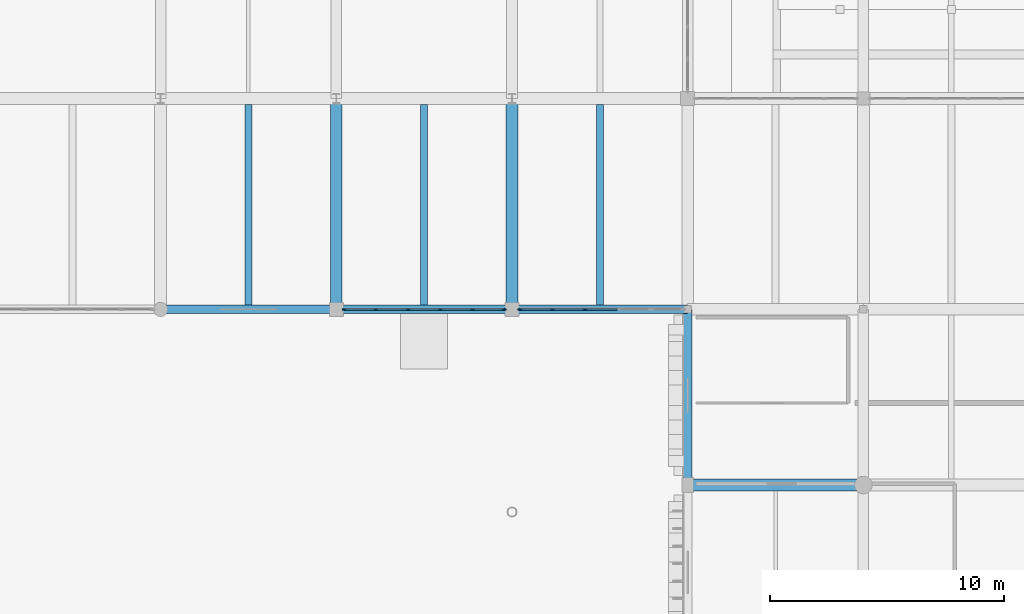
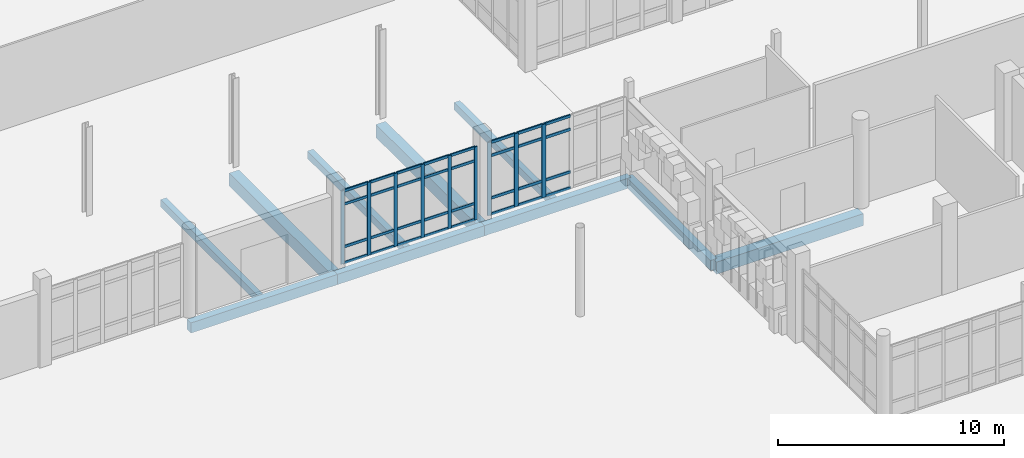
# One storey, part 32 of 125: 41 members, 10 beams, 2 elements without a shape of their own.
"""IFC4 building model written with IfcOpenShell, lengths in metres."""

from ifc_helpers import new_model, si_unit, direction, frame, origin, origin_2d, place, context, subcontext, project, spatial, rectangle, extrude, material, layer, layer_set, material_profile, profile_set, type_object, element, aggregate, save


model = new_model("IFC4")

# Units and contexts
model_context = context("Model", 3, precision=1e-05, world=origin(), true_north=direction((0.0, 1.0)))
body_context = subcontext(model_context, "Body", "Model", "MODEL_VIEW")
ifc_project = project(units=[si_unit("LENGTHUNIT", "METRE"), si_unit("AREAUNIT", "SQUARE_METRE"), si_unit("VOLUMEUNIT", "CUBIC_METRE"), si_unit("PLANEANGLEUNIT", "RADIAN"), si_unit("MASSUNIT", "GRAM", prefix="KILO")], contexts=[model_context])

# Site, building, storey
site_placement = place(None, origin())
site = spatial("IfcSite", under=ifc_project, at=site_placement, CompositionType="ELEMENT")
building_placement = place(site_placement, origin())
building = spatial("IfcBuilding", under=site, at=building_placement, Name="Dalvernix Boulevard General Hospital", CompositionType="ELEMENT")
storey_placement = place(building_placement, origin())
storey = spatial("IfcBuildingStorey", under=building, at=storey_placement, Name="L00", CompositionType="ELEMENT", Elevation=0.0)

# Beams
ifc_material_1 = material(Name="Concrete C35/45", Category="concrete")
ifc_material_profile_1 = material_profile(ifc_material_1, rectangle(XDim=0.5, YDim=0.699951171875, at=origin_2d()), Name="RCB 500x700")
ifc_profile_set_1 = profile_set([ifc_material_profile_1], Name="Concrete C35/45")
beam_type_1 = type_object("IfcBeamType", Name="BM-B-01-I", PredefinedType="BEAM", material=ifc_profile_set_1)
for number, where, z_axis, x_axis, name in (
    (1, (97.5, 22.5, -0.7099609375), (0.0, 1.0, 0.0), (-1.0, 0.0, 0.0), "L00 N-S girder 14:D-E"),
    (2, (105.0, 22.5, -0.7099609375), (0.0, 1.0, 0.0), (-1.0, 0.0, 0.0), "L00 N-S girder 15:D-E"),
):
    element("IfcBeam", number, at=place(storey_placement, frame(where, z_axis=z_axis, x_axis=x_axis)), inside=storey, type_object=beam_type_1, Name=name, PredefinedType="BEAM", context=body_context, shape_type="SweptSolid", body=[
        extrude(rectangle(XDim=0.5, YDim=0.699951171875, at=origin_2d()), origin(), (0.0, 0.0, 1.0), 9.0),
    ])
ifc_material_profile_2 = material_profile(ifc_material_1, rectangle(XDim=0.5, YDim=0.64990234375, at=origin_2d()), Name="RCB 500x650")
ifc_profile_set_2 = profile_set([ifc_material_profile_2], Name="Concrete C35/45")
beam_type_2 = type_object("IfcBeamType", Name="BM-B-02-I", PredefinedType="BEAM", material=ifc_profile_set_2)
beam_placement = place(storey_placement, frame((112.5, 15.0, -0.68505859375), z_axis=(1.0, 0.0, 0.0), x_axis=(0.0, 1.0, 0.0)))
element("IfcBeam", 3, at=beam_placement, inside=storey, type_object=beam_type_2, Name="L00 E-W girder C:16-17", PredefinedType="BEAM", context=body_context, shape_type="SweptSolid", body=[
    extrude(rectangle(XDim=0.5, YDim=0.64990234375, at=origin_2d()), origin(), (0.0, 0.0, 1.0), 7.5),
])
ifc_material_profile_3 = material_profile(ifc_material_1, rectangle(XDim=0.300048828125, YDim=0.39990234375, at=origin_2d()), Name="RCB 300x400")
ifc_profile_set_3 = profile_set([ifc_material_profile_3], Name="Concrete C35/45")
beam_type_3 = type_object("IfcBeamType", Name="BM-JB-01", PredefinedType="JOIST", material=ifc_profile_set_3)
for number, where, z_axis, x_axis, name in (
    (4, (93.75, 22.675048828125, -0.56005859375), (0.0, 1.0, 0.0), (-1.0, 0.0, 0.0), "L00 secondary floor beam 13-D"),
    (5, (101.25, 22.675048828125, -0.56005859375), (0.0, 1.0, 0.0), (-1.0, 0.0, 0.0), "L00 secondary floor beam 14-D"),
    (6, (108.75, 22.675048828125, -0.56005859375), (0.0, 1.0, 0.0), (-1.0, 0.0, 0.0), "L00 secondary floor beam 15-D"),
):
    element("IfcBeam", number, at=place(storey_placement, frame(where, z_axis=z_axis, x_axis=x_axis)), inside=storey, type_object=beam_type_3, Name=name, PredefinedType="JOIST", context=body_context, shape_type="SweptSolid", body=[
        extrude(rectangle(XDim=0.300048828125, YDim=0.39990234375, at=origin_2d()), origin(), (0.0, 0.0, 1.0), 8.574951171875),
    ])
ifc_material_profile_4 = material_profile(ifc_material_1, rectangle(XDim=0.35009765625, YDim=0.550048828125, at=origin_2d()), Name="RCB 350x550")
ifc_profile_set_4 = profile_set([ifc_material_profile_4], Name="Concrete C35/45")
beam_type_4 = type_object("IfcBeamType", Name="BM-SB-01-E", PredefinedType="SPANDREL", material=ifc_profile_set_4)
for number, where, z_axis, x_axis, name in (
    (7, (90.0, 22.5, -0.635009765625), (1.0, 0.0, 0.0), (0.0, 1.0, 0.0), "L00 E-W girder D:13-14"),
    (8, (97.5, 22.5, -0.635009765625), (1.0, 0.0, 0.0), (0.0, 1.0, 0.0), "L00 E-W girder D:14-15"),
    (9, (105.0, 22.5, -0.635009765625), (1.0, 0.0, 0.0), (0.0, 1.0, 0.0), "L00 E-W girder D:15-16"),
    (10, (112.5, 15.0, -0.635009765625), (0.0, 1.0, 0.0), (-1.0, 0.0, 0.0), "L00 N-S girder 16:C-D"),
):
    element("IfcBeam", number, at=place(storey_placement, frame(where, z_axis=z_axis, x_axis=x_axis)), inside=storey, type_object=beam_type_4, Name=name, PredefinedType="SPANDREL", context=body_context, shape_type="SweptSolid", body=[
        extrude(rectangle(XDim=0.35009765625, YDim=0.550048828125, at=origin_2d()), origin(), (0.0, 0.0, 1.0), 7.5),
    ])

# Curtain wall, members
ifc_material_2 = material(Name="Thermally broken aluminium and solar-control glass curtain wall", Category="aluminium")
ifc_layer_1 = layer(ifc_material_2, 0.179931640625)
ifc_layer_set_1 = layer_set([ifc_layer_1], Name="Thermally broken aluminium and solar-control glass curtain wall (CW-CW-B-69x40)")
curtain_wall_type_1 = type_object("IfcCurtainWallType", Name="CW-CW-B-69x40", PredefinedType="USERDEFINED", material=ifc_layer_set_1)
curtain_wall_1_placement = place(storey_placement, origin())
curtain_wall_1 = element("IfcCurtainWall", 11, at=curtain_wall_1_placement, inside=storey, type_object=curtain_wall_type_1, Name="L00 curtain wall CW-B-69x40 13-3", ObjectType="GLAZED FACADE", PredefinedType="USERDEFINED")
ifc_material_3 = material(Name="Aluminium EN AW-6060", Category="aluminium")
ifc_material_profile_5 = material_profile(ifc_material_3, rectangle(XDim=0.06494140625, YDim=0.179931640625, at=origin_2d()), Name="ALU MULL 65x180")
ifc_profile_set_5 = profile_set([ifc_material_profile_5], Name="Aluminium EN AW-6060")
member_type_1 = type_object("IfcMemberType", Name="MEM-CW-M2", PredefinedType="MULLION", material=ifc_profile_set_5)
member_1_placement = place(storey_placement, frame((104.657470703125, 22.5, 0.0), z_axis=(0.0, 0.0, 1.0), x_axis=(0.0, -1.0, 0.0)))
member_1 = element("IfcMember", 12, at=member_1_placement, type_object=member_type_1, Name="CW-B-69x40 mullion 1", PredefinedType="MULLION", context=body_context, shape_type="SweptSolid", body=[
    extrude(rectangle(XDim=0.06494140625, YDim=0.179931640625, at=origin_2d()), origin(), (0.0, 0.0, 1.0), 3.949951171875),
])
member_2_placement = place(storey_placement, frame((103.31396484375, 22.5, 0.0), z_axis=(0.0, 0.0, 1.0), x_axis=(0.0, -1.0, 0.0)))
member_2 = element("IfcMember", 13, at=member_2_placement, type_object=member_type_1, Name="CW-B-69x40 mullion 2", PredefinedType="MULLION", context=body_context, shape_type="SweptSolid", body=[
    extrude(rectangle(XDim=0.06494140625, YDim=0.179931640625, at=origin_2d()), origin(), (0.0, 0.0, 1.0), 3.949951171875),
])
member_3_placement = place(storey_placement, frame((101.93798828125, 22.5, 0.0), z_axis=(0.0, 0.0, 1.0), x_axis=(0.0, -1.0, 0.0)))
member_3 = element("IfcMember", 14, at=member_3_placement, type_object=member_type_1, Name="CW-B-69x40 mullion 3", PredefinedType="MULLION", context=body_context, shape_type="SweptSolid", body=[
    extrude(rectangle(XDim=0.06494140625, YDim=0.179931640625, at=origin_2d()), origin(), (0.0, 0.0, 1.0), 3.949951171875),
])
member_4_placement = place(storey_placement, frame((100.56201171875, 22.5, 0.0), z_axis=(0.0, 0.0, 1.0), x_axis=(0.0, -1.0, 0.0)))
member_4 = element("IfcMember", 15, at=member_4_placement, type_object=member_type_1, Name="CW-B-69x40 mullion 4", PredefinedType="MULLION", context=body_context, shape_type="SweptSolid", body=[
    extrude(rectangle(XDim=0.06494140625, YDim=0.179931640625, at=origin_2d()), origin(), (0.0, 0.0, 1.0), 3.949951171875),
])
member_5_placement = place(storey_placement, frame((99.18603515625, 22.5, 0.0), z_axis=(0.0, 0.0, 1.0), x_axis=(0.0, -1.0, 0.0)))
member_5 = element("IfcMember", 16, at=member_5_placement, type_object=member_type_1, Name="CW-B-69x40 mullion 5", PredefinedType="MULLION", context=body_context, shape_type="SweptSolid", body=[
    extrude(rectangle(XDim=0.06494140625, YDim=0.179931640625, at=origin_2d()), origin(), (0.0, 0.0, 1.0), 3.949951171875),
])
member_6_placement = place(storey_placement, frame((97.842529296875, 22.5, 0.0), z_axis=(0.0, 0.0, 1.0), x_axis=(0.0, -1.0, 0.0)))
member_6 = element("IfcMember", 17, at=member_6_placement, type_object=member_type_1, Name="CW-B-69x40 mullion 6", PredefinedType="MULLION", context=body_context, shape_type="SweptSolid", body=[
    extrude(rectangle(XDim=0.06494140625, YDim=0.179931640625, at=origin_2d()), origin(), (0.0, 0.0, 1.0), 3.949951171875),
])

ifc_layer_2 = layer(ifc_material_2, 0.199951171875)
ifc_layer_set_2 = layer_set([ifc_layer_2], Name="Thermally broken aluminium and solar-control glass curtain wall (CW-CW-C-70x40)")
curtain_wall_type_2 = type_object("IfcCurtainWallType", Name="CW-CW-C-70x40", PredefinedType="USERDEFINED", material=ifc_layer_set_2)
curtain_wall_2_placement = place(storey_placement, origin())
curtain_wall_2 = element("IfcCurtainWall", 18, at=curtain_wall_2_placement, inside=storey, type_object=curtain_wall_type_2, Name="L00 curtain wall CW-C-70x40 14-3", ObjectType="GLAZED FACADE", PredefinedType="USERDEFINED")
ifc_material_profile_6 = material_profile(ifc_material_3, rectangle(XDim=0.070068359375, YDim=0.199951171875, at=origin_2d()), Name="ALU MULL 70x200")
ifc_profile_set_6 = profile_set([ifc_material_profile_6], Name="Aluminium EN AW-6060")
member_type_2 = type_object("IfcMemberType", Name="MEM-CW-M3", PredefinedType="MULLION", material=ifc_profile_set_6)
member_7_placement = place(storey_placement, frame((108.117919921875, 22.5, 0.0), z_axis=(0.0, 0.0, 1.0), x_axis=(0.0, -1.0, 0.0)))
member_7 = element("IfcMember", 19, at=member_7_placement, type_object=member_type_2, Name="CW-C-70x40 mullion 4", PredefinedType="MULLION", context=body_context, shape_type="SweptSolid", body=[
    extrude(rectangle(XDim=0.070068359375, YDim=0.199951171875, at=origin_2d()), origin(), (0.0, 0.0, 1.0), 3.949951171875),
])
member_8_placement = place(storey_placement, frame((106.714111328125, 22.5, 0.0), z_axis=(0.0, 0.0, 1.0), x_axis=(0.0, -1.0, 0.0)))
member_8 = element("IfcMember", 20, at=member_8_placement, type_object=member_type_2, Name="CW-C-70x40 mullion 5", PredefinedType="MULLION", context=body_context, shape_type="SweptSolid", body=[
    extrude(rectangle(XDim=0.070068359375, YDim=0.199951171875, at=origin_2d()), origin(), (0.0, 0.0, 1.0), 3.949951171875),
])
member_9_placement = place(storey_placement, frame((105.344970703125, 22.5, 0.0), z_axis=(0.0, 0.0, 1.0), x_axis=(0.0, -1.0, 0.0)))
member_9 = element("IfcMember", 21, at=member_9_placement, type_object=member_type_2, Name="CW-C-70x40 mullion 6", PredefinedType="MULLION", context=body_context, shape_type="SweptSolid", body=[
    extrude(rectangle(XDim=0.070068359375, YDim=0.199951171875, at=origin_2d()), origin(), (0.0, 0.0, 1.0), 3.949951171875),
])

# Member
ifc_material_profile_7 = material_profile(ifc_material_3, rectangle(XDim=0.06494140625, YDim=0.139892578125, at=origin_2d()), Name="ALU TRAN 65x140")
ifc_profile_set_7 = profile_set([ifc_material_profile_7], Name="Aluminium EN AW-6060")
member_type_3 = type_object("IfcMemberType", Name="MEM-CW-T2", PredefinedType="USERDEFINED", material=ifc_profile_set_7)
member_10_placement = place(storey_placement, frame((104.625, 22.5, 0.032470703125), z_axis=(-1.0, 0.0, 0.0), x_axis=(0.0, -1.0, 0.0)))
member_10 = element("IfcMember", 22, at=member_10_placement, type_object=member_type_3, Name="CW-B-69x40 transom 1.1", ObjectType="TRANSOM", PredefinedType="USERDEFINED", context=body_context, shape_type="SweptSolid", body=[
    extrude(rectangle(XDim=0.06494140625, YDim=0.139892578125, at=origin_2d()), origin(), (0.0, 0.0, 1.0), 1.278564453125),
])

member_11_placement = place(storey_placement, frame((104.625, 22.5, 0.89990234375), z_axis=(-1.0, 0.0, 0.0), x_axis=(0.0, -1.0, 0.0)))
member_11 = element("IfcMember", 23, at=member_11_placement, type_object=member_type_3, Name="CW-B-69x40 transom 1.2", ObjectType="TRANSOM", PredefinedType="USERDEFINED", context=body_context, shape_type="SweptSolid", body=[
    extrude(rectangle(XDim=0.06494140625, YDim=0.139892578125, at=origin_2d()), origin(), (0.0, 0.0, 1.0), 1.278564453125),
])

member_12_placement = place(storey_placement, frame((104.625, 22.5, 3.199951171875), z_axis=(-1.0, 0.0, 0.0), x_axis=(0.0, -1.0, 0.0)))
member_12 = element("IfcMember", 24, at=member_12_placement, type_object=member_type_3, Name="CW-B-69x40 transom 1.3", ObjectType="TRANSOM", PredefinedType="USERDEFINED", context=body_context, shape_type="SweptSolid", body=[
    extrude(rectangle(XDim=0.06494140625, YDim=0.139892578125, at=origin_2d()), origin(), (0.0, 0.0, 1.0), 1.278564453125),
])

member_13_placement = place(storey_placement, frame((104.625, 22.5, 3.91748046875), z_axis=(-1.0, 0.0, 0.0), x_axis=(0.0, -1.0, 0.0)))
member_13 = element("IfcMember", 25, at=member_13_placement, type_object=member_type_3, Name="CW-B-69x40 transom 1.4", ObjectType="TRANSOM", PredefinedType="USERDEFINED", context=body_context, shape_type="SweptSolid", body=[
    extrude(rectangle(XDim=0.06494140625, YDim=0.139892578125, at=origin_2d()), origin(), (0.0, 0.0, 1.0), 1.278564453125),
])

member_14_placement = place(storey_placement, frame((103.281494140625, 22.5, 0.032470703125), z_axis=(-1.0, 0.0, 0.0), x_axis=(0.0, -1.0, 0.0)))
member_14 = element("IfcMember", 26, at=member_14_placement, type_object=member_type_3, Name="CW-B-69x40 transom 2.1", ObjectType="TRANSOM", PredefinedType="USERDEFINED", context=body_context, shape_type="SweptSolid", body=[
    extrude(rectangle(XDim=0.06494140625, YDim=0.139892578125, at=origin_2d()), origin(), (0.0, 0.0, 1.0), 1.31103515625),
])

member_15_placement = place(storey_placement, frame((103.281494140625, 22.5, 0.89990234375), z_axis=(-1.0, 0.0, 0.0), x_axis=(0.0, -1.0, 0.0)))
member_15 = element("IfcMember", 27, at=member_15_placement, type_object=member_type_3, Name="CW-B-69x40 transom 2.2", ObjectType="TRANSOM", PredefinedType="USERDEFINED", context=body_context, shape_type="SweptSolid", body=[
    extrude(rectangle(XDim=0.06494140625, YDim=0.139892578125, at=origin_2d()), origin(), (0.0, 0.0, 1.0), 1.31103515625),
])

member_16_placement = place(storey_placement, frame((103.281494140625, 22.5, 3.199951171875), z_axis=(-1.0, 0.0, 0.0), x_axis=(0.0, -1.0, 0.0)))
member_16 = element("IfcMember", 28, at=member_16_placement, type_object=member_type_3, Name="CW-B-69x40 transom 2.3", ObjectType="TRANSOM", PredefinedType="USERDEFINED", context=body_context, shape_type="SweptSolid", body=[
    extrude(rectangle(XDim=0.06494140625, YDim=0.139892578125, at=origin_2d()), origin(), (0.0, 0.0, 1.0), 1.31103515625),
])

member_17_placement = place(storey_placement, frame((103.281494140625, 22.5, 3.91748046875), z_axis=(-1.0, 0.0, 0.0), x_axis=(0.0, -1.0, 0.0)))
member_17 = element("IfcMember", 29, at=member_17_placement, type_object=member_type_3, Name="CW-B-69x40 transom 2.4", ObjectType="TRANSOM", PredefinedType="USERDEFINED", context=body_context, shape_type="SweptSolid", body=[
    extrude(rectangle(XDim=0.06494140625, YDim=0.139892578125, at=origin_2d()), origin(), (0.0, 0.0, 1.0), 1.31103515625),
])

member_18_placement = place(storey_placement, frame((101.905517578125, 22.5, 0.032470703125), z_axis=(-1.0, 0.0, 0.0), x_axis=(0.0, -1.0, 0.0)))
member_18 = element("IfcMember", 30, at=member_18_placement, type_object=member_type_3, Name="CW-B-69x40 transom 3.1", ObjectType="TRANSOM", PredefinedType="USERDEFINED", context=body_context, shape_type="SweptSolid", body=[
    extrude(rectangle(XDim=0.06494140625, YDim=0.139892578125, at=origin_2d()), origin(), (0.0, 0.0, 1.0), 1.31103515625),
])

member_19_placement = place(storey_placement, frame((101.905517578125, 22.5, 0.89990234375), z_axis=(-1.0, 0.0, 0.0), x_axis=(0.0, -1.0, 0.0)))
member_19 = element("IfcMember", 31, at=member_19_placement, type_object=member_type_3, Name="CW-B-69x40 transom 3.2", ObjectType="TRANSOM", PredefinedType="USERDEFINED", context=body_context, shape_type="SweptSolid", body=[
    extrude(rectangle(XDim=0.06494140625, YDim=0.139892578125, at=origin_2d()), origin(), (0.0, 0.0, 1.0), 1.31103515625),
])

member_20_placement = place(storey_placement, frame((101.905517578125, 22.5, 3.199951171875), z_axis=(-1.0, 0.0, 0.0), x_axis=(0.0, -1.0, 0.0)))
member_20 = element("IfcMember", 32, at=member_20_placement, type_object=member_type_3, Name="CW-B-69x40 transom 3.3", ObjectType="TRANSOM", PredefinedType="USERDEFINED", context=body_context, shape_type="SweptSolid", body=[
    extrude(rectangle(XDim=0.06494140625, YDim=0.139892578125, at=origin_2d()), origin(), (0.0, 0.0, 1.0), 1.31103515625),
])

member_21_placement = place(storey_placement, frame((101.905517578125, 22.5, 3.91748046875), z_axis=(-1.0, 0.0, 0.0), x_axis=(0.0, -1.0, 0.0)))
member_21 = element("IfcMember", 33, at=member_21_placement, type_object=member_type_3, Name="CW-B-69x40 transom 3.4", ObjectType="TRANSOM", PredefinedType="USERDEFINED", context=body_context, shape_type="SweptSolid", body=[
    extrude(rectangle(XDim=0.06494140625, YDim=0.139892578125, at=origin_2d()), origin(), (0.0, 0.0, 1.0), 1.31103515625),
])

member_22_placement = place(storey_placement, frame((100.529541015625, 22.5, 0.032470703125), z_axis=(-1.0, 0.0, 0.0), x_axis=(0.0, -1.0, 0.0)))
member_22 = element("IfcMember", 34, at=member_22_placement, type_object=member_type_3, Name="CW-B-69x40 transom 4.1", ObjectType="TRANSOM", PredefinedType="USERDEFINED", context=body_context, shape_type="SweptSolid", body=[
    extrude(rectangle(XDim=0.06494140625, YDim=0.139892578125, at=origin_2d()), origin(), (0.0, 0.0, 1.0), 1.31103515625),
])

member_23_placement = place(storey_placement, frame((100.529541015625, 22.5, 0.89990234375), z_axis=(-1.0, 0.0, 0.0), x_axis=(0.0, -1.0, 0.0)))
member_23 = element("IfcMember", 35, at=member_23_placement, type_object=member_type_3, Name="CW-B-69x40 transom 4.2", ObjectType="TRANSOM", PredefinedType="USERDEFINED", context=body_context, shape_type="SweptSolid", body=[
    extrude(rectangle(XDim=0.06494140625, YDim=0.139892578125, at=origin_2d()), origin(), (0.0, 0.0, 1.0), 1.31103515625),
])

member_24_placement = place(storey_placement, frame((100.529541015625, 22.5, 3.199951171875), z_axis=(-1.0, 0.0, 0.0), x_axis=(0.0, -1.0, 0.0)))
member_24 = element("IfcMember", 36, at=member_24_placement, type_object=member_type_3, Name="CW-B-69x40 transom 4.3", ObjectType="TRANSOM", PredefinedType="USERDEFINED", context=body_context, shape_type="SweptSolid", body=[
    extrude(rectangle(XDim=0.06494140625, YDim=0.139892578125, at=origin_2d()), origin(), (0.0, 0.0, 1.0), 1.31103515625),
])

member_25_placement = place(storey_placement, frame((100.529541015625, 22.5, 3.91748046875), z_axis=(-1.0, 0.0, 0.0), x_axis=(0.0, -1.0, 0.0)))
member_25 = element("IfcMember", 37, at=member_25_placement, type_object=member_type_3, Name="CW-B-69x40 transom 4.4", ObjectType="TRANSOM", PredefinedType="USERDEFINED", context=body_context, shape_type="SweptSolid", body=[
    extrude(rectangle(XDim=0.06494140625, YDim=0.139892578125, at=origin_2d()), origin(), (0.0, 0.0, 1.0), 1.31103515625),
])

member_26_placement = place(storey_placement, frame((99.153564453125, 22.5, 0.032470703125), z_axis=(-1.0, 0.0, 0.0), x_axis=(0.0, -1.0, 0.0)))
member_26 = element("IfcMember", 38, at=member_26_placement, type_object=member_type_3, Name="CW-B-69x40 transom 5.1", ObjectType="TRANSOM", PredefinedType="USERDEFINED", context=body_context, shape_type="SweptSolid", body=[
    extrude(rectangle(XDim=0.06494140625, YDim=0.139892578125, at=origin_2d()), origin(), (0.0, 0.0, 1.0), 1.278564453125),
])

member_27_placement = place(storey_placement, frame((99.153564453125, 22.5, 0.89990234375), z_axis=(-1.0, 0.0, 0.0), x_axis=(0.0, -1.0, 0.0)))
member_27 = element("IfcMember", 39, at=member_27_placement, type_object=member_type_3, Name="CW-B-69x40 transom 5.2", ObjectType="TRANSOM", PredefinedType="USERDEFINED", context=body_context, shape_type="SweptSolid", body=[
    extrude(rectangle(XDim=0.06494140625, YDim=0.139892578125, at=origin_2d()), origin(), (0.0, 0.0, 1.0), 1.278564453125),
])

member_28_placement = place(storey_placement, frame((99.153564453125, 22.5, 3.199951171875), z_axis=(-1.0, 0.0, 0.0), x_axis=(0.0, -1.0, 0.0)))
member_28 = element("IfcMember", 40, at=member_28_placement, type_object=member_type_3, Name="CW-B-69x40 transom 5.3", ObjectType="TRANSOM", PredefinedType="USERDEFINED", context=body_context, shape_type="SweptSolid", body=[
    extrude(rectangle(XDim=0.06494140625, YDim=0.139892578125, at=origin_2d()), origin(), (0.0, 0.0, 1.0), 1.278564453125),
])

member_29_placement = place(storey_placement, frame((99.153564453125, 22.5, 3.91748046875), z_axis=(-1.0, 0.0, 0.0), x_axis=(0.0, -1.0, 0.0)))
member_29 = element("IfcMember", 41, at=member_29_placement, type_object=member_type_3, Name="CW-B-69x40 transom 5.4", ObjectType="TRANSOM", PredefinedType="USERDEFINED", context=body_context, shape_type="SweptSolid", body=[
    extrude(rectangle(XDim=0.06494140625, YDim=0.139892578125, at=origin_2d()), origin(), (0.0, 0.0, 1.0), 1.278564453125),
])

aggregate(curtain_wall_1, [member_1, member_2, member_3, member_4, member_5, member_6, member_10, member_11, member_12, member_13, member_14, member_15, member_16, member_17, member_18, member_19, member_20, member_21, member_22, member_23, member_24, member_25, member_26, member_27, member_28, member_29])

ifc_material_profile_8 = material_profile(ifc_material_3, rectangle(XDim=0.070068359375, YDim=0.14990234375, at=origin_2d()), Name="ALU TRAN 70x150")
ifc_profile_set_8 = profile_set([ifc_material_profile_8], Name="Aluminium EN AW-6060")
member_type_4 = type_object("IfcMemberType", Name="MEM-CW-T3", PredefinedType="USERDEFINED", material=ifc_profile_set_8)
member_30_placement = place(storey_placement, frame((109.487060546875, 22.5, 0.034912109375), z_axis=(-1.0, 0.0, 0.0), x_axis=(0.0, -1.0, 0.0)))
member_30 = element("IfcMember", 42, at=member_30_placement, type_object=member_type_4, Name="CW-C-70x40 transom 3.1", ObjectType="TRANSOM", PredefinedType="USERDEFINED", context=body_context, shape_type="SweptSolid", body=[
    extrude(rectangle(XDim=0.070068359375, YDim=0.14990234375, at=origin_2d()), origin(), (0.0, 0.0, 1.0), 1.333984375),
])

member_31_placement = place(storey_placement, frame((109.487060546875, 22.5, 0.89990234375), z_axis=(-1.0, 0.0, 0.0), x_axis=(0.0, -1.0, 0.0)))
member_31 = element("IfcMember", 43, at=member_31_placement, type_object=member_type_4, Name="CW-C-70x40 transom 3.2", ObjectType="TRANSOM", PredefinedType="USERDEFINED", context=body_context, shape_type="SweptSolid", body=[
    extrude(rectangle(XDim=0.070068359375, YDim=0.14990234375, at=origin_2d()), origin(), (0.0, 0.0, 1.0), 1.333984375),
])

member_32_placement = place(storey_placement, frame((109.487060546875, 22.5, 3.199951171875), z_axis=(-1.0, 0.0, 0.0), x_axis=(0.0, -1.0, 0.0)))
member_32 = element("IfcMember", 44, at=member_32_placement, type_object=member_type_4, Name="CW-C-70x40 transom 3.3", ObjectType="TRANSOM", PredefinedType="USERDEFINED", context=body_context, shape_type="SweptSolid", body=[
    extrude(rectangle(XDim=0.070068359375, YDim=0.14990234375, at=origin_2d()), origin(), (0.0, 0.0, 1.0), 1.333984375),
])

member_33_placement = place(storey_placement, frame((109.487060546875, 22.5, 3.9150390625), z_axis=(-1.0, 0.0, 0.0), x_axis=(0.0, -1.0, 0.0)))
member_33 = element("IfcMember", 45, at=member_33_placement, type_object=member_type_4, Name="CW-C-70x40 transom 3.4", ObjectType="TRANSOM", PredefinedType="USERDEFINED", context=body_context, shape_type="SweptSolid", body=[
    extrude(rectangle(XDim=0.070068359375, YDim=0.14990234375, at=origin_2d()), origin(), (0.0, 0.0, 1.0), 1.333984375),
])

member_34_placement = place(storey_placement, frame((108.0830078125, 22.5, 0.034912109375), z_axis=(-1.0, 0.0, 0.0), x_axis=(0.0, -1.0, 0.0)))
member_34 = element("IfcMember", 46, at=member_34_placement, type_object=member_type_4, Name="CW-C-70x40 transom 4.1", ObjectType="TRANSOM", PredefinedType="USERDEFINED", context=body_context, shape_type="SweptSolid", body=[
    extrude(rectangle(XDim=0.070068359375, YDim=0.14990234375, at=origin_2d()), origin(), (0.0, 0.0, 1.0), 1.333984375),
])

member_35_placement = place(storey_placement, frame((108.0830078125, 22.5, 0.89990234375), z_axis=(-1.0, 0.0, 0.0), x_axis=(0.0, -1.0, 0.0)))
member_35 = element("IfcMember", 47, at=member_35_placement, type_object=member_type_4, Name="CW-C-70x40 transom 4.2", ObjectType="TRANSOM", PredefinedType="USERDEFINED", context=body_context, shape_type="SweptSolid", body=[
    extrude(rectangle(XDim=0.070068359375, YDim=0.14990234375, at=origin_2d()), origin(), (0.0, 0.0, 1.0), 1.333984375),
])

member_36_placement = place(storey_placement, frame((108.0830078125, 22.5, 3.199951171875), z_axis=(-1.0, 0.0, 0.0), x_axis=(0.0, -1.0, 0.0)))
member_36 = element("IfcMember", 48, at=member_36_placement, type_object=member_type_4, Name="CW-C-70x40 transom 4.3", ObjectType="TRANSOM", PredefinedType="USERDEFINED", context=body_context, shape_type="SweptSolid", body=[
    extrude(rectangle(XDim=0.070068359375, YDim=0.14990234375, at=origin_2d()), origin(), (0.0, 0.0, 1.0), 1.333984375),
])

member_37_placement = place(storey_placement, frame((108.0830078125, 22.5, 3.9150390625), z_axis=(-1.0, 0.0, 0.0), x_axis=(0.0, -1.0, 0.0)))
member_37 = element("IfcMember", 49, at=member_37_placement, type_object=member_type_4, Name="CW-C-70x40 transom 4.4", ObjectType="TRANSOM", PredefinedType="USERDEFINED", context=body_context, shape_type="SweptSolid", body=[
    extrude(rectangle(XDim=0.070068359375, YDim=0.14990234375, at=origin_2d()), origin(), (0.0, 0.0, 1.0), 1.333984375),
])

member_38_placement = place(storey_placement, frame((106.678955078125, 22.5, 0.034912109375), z_axis=(-1.0, 0.0, 0.0), x_axis=(0.0, -1.0, 0.0)))
member_38 = element("IfcMember", 50, at=member_38_placement, type_object=member_type_4, Name="CW-C-70x40 transom 5.1", ObjectType="TRANSOM", PredefinedType="USERDEFINED", context=body_context, shape_type="SweptSolid", body=[
    extrude(rectangle(XDim=0.070068359375, YDim=0.14990234375, at=origin_2d()), origin(), (0.0, 0.0, 1.0), 1.299072265625),
])

member_39_placement = place(storey_placement, frame((106.678955078125, 22.5, 0.89990234375), z_axis=(-1.0, 0.0, 0.0), x_axis=(0.0, -1.0, 0.0)))
member_39 = element("IfcMember", 51, at=member_39_placement, type_object=member_type_4, Name="CW-C-70x40 transom 5.2", ObjectType="TRANSOM", PredefinedType="USERDEFINED", context=body_context, shape_type="SweptSolid", body=[
    extrude(rectangle(XDim=0.070068359375, YDim=0.14990234375, at=origin_2d()), origin(), (0.0, 0.0, 1.0), 1.299072265625),
])

member_40_placement = place(storey_placement, frame((106.678955078125, 22.5, 3.199951171875), z_axis=(-1.0, 0.0, 0.0), x_axis=(0.0, -1.0, 0.0)))
member_40 = element("IfcMember", 52, at=member_40_placement, type_object=member_type_4, Name="CW-C-70x40 transom 5.3", ObjectType="TRANSOM", PredefinedType="USERDEFINED", context=body_context, shape_type="SweptSolid", body=[
    extrude(rectangle(XDim=0.070068359375, YDim=0.14990234375, at=origin_2d()), origin(), (0.0, 0.0, 1.0), 1.299072265625),
])

member_41_placement = place(storey_placement, frame((106.678955078125, 22.5, 3.9150390625), z_axis=(-1.0, 0.0, 0.0), x_axis=(0.0, -1.0, 0.0)))
member_41 = element("IfcMember", 53, at=member_41_placement, type_object=member_type_4, Name="CW-C-70x40 transom 5.4", ObjectType="TRANSOM", PredefinedType="USERDEFINED", context=body_context, shape_type="SweptSolid", body=[
    extrude(rectangle(XDim=0.070068359375, YDim=0.14990234375, at=origin_2d()), origin(), (0.0, 0.0, 1.0), 1.299072265625),
])

aggregate(curtain_wall_2, [member_7, member_8, member_9, member_30, member_31, member_32, member_33, member_34, member_35, member_36, member_37, member_38, member_39, member_40, member_41])

save(model, "model.ifc")
